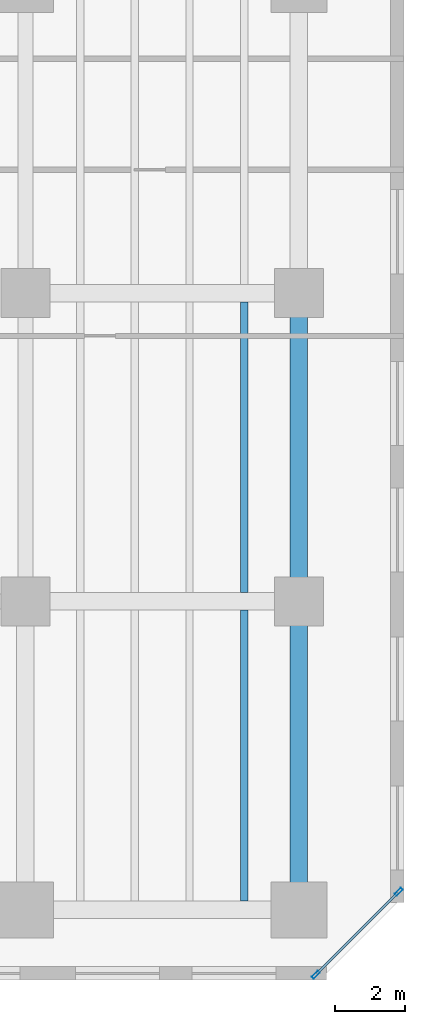
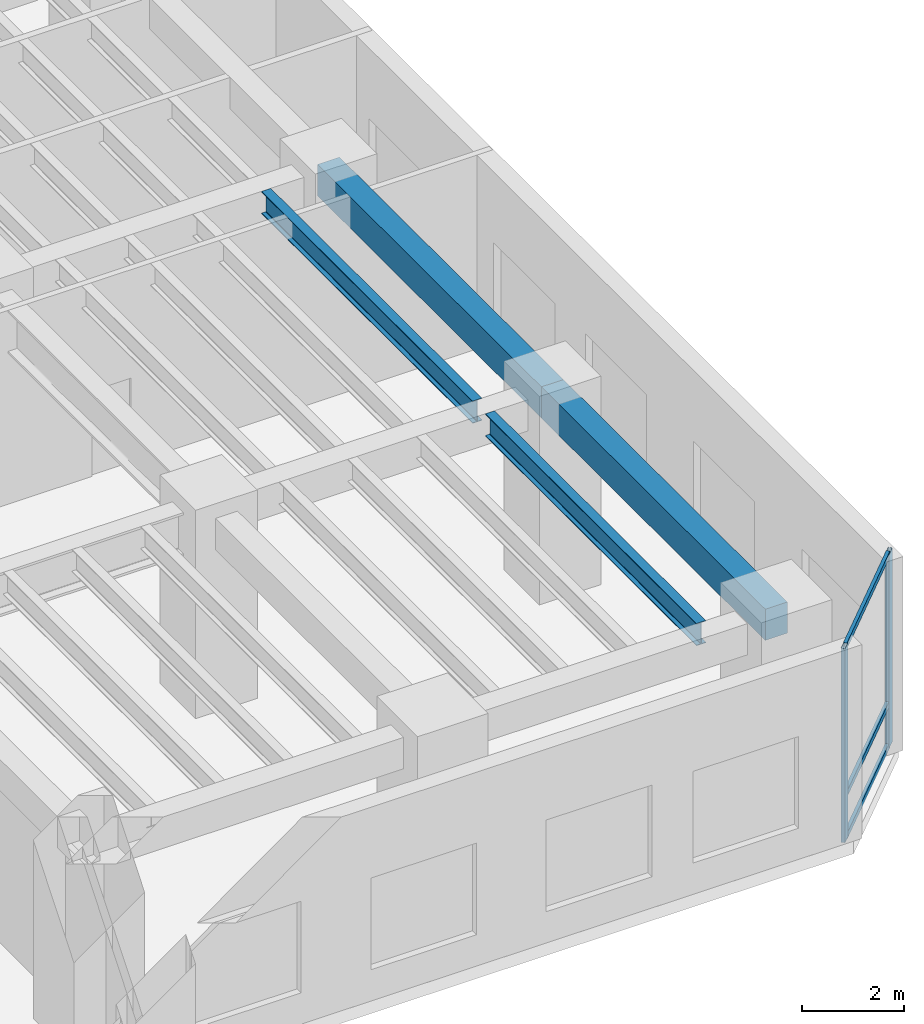
# One storey, part 6 of 19: 5 members, 4 beams, 1 element without a shape of its own.
"""IFC4 building model written with IfcOpenShell, lengths in metres."""

from ifc_helpers import new_model, si_unit, direction, frame, origin, origin_2d, place, context, subcontext, project, spatial, rectangle, hollow_rectangle, i_section, extrude, material, layer, layer_set, material_profile, profile_set, type_object, element, aggregate, save


model = new_model("IFC4")

# Units and contexts
model_context = context("Model", 3, precision=1e-05, world=origin(), true_north=direction((0.0, 1.0)))
body_context = subcontext(model_context, "Body", "Model", "MODEL_VIEW")
ifc_project = project(units=[si_unit("LENGTHUNIT", "METRE"), si_unit("AREAUNIT", "SQUARE_METRE"), si_unit("VOLUMEUNIT", "CUBIC_METRE"), si_unit("PLANEANGLEUNIT", "RADIAN"), si_unit("MASSUNIT", "GRAM", prefix="KILO")], contexts=[model_context])

# Site, building, storey
site_placement = place(None, origin())
site = spatial("IfcSite", under=ifc_project, at=site_placement, CompositionType="ELEMENT")
building_placement = place(site_placement, origin())
building = spatial("IfcBuilding", under=site, at=building_placement, Name="Kestravale Grand Hotel", CompositionType="ELEMENT")
storey_placement = place(building_placement, frame((0.0, 0.0, 5.39990234375)))
storey = spatial("IfcBuildingStorey", under=building, at=storey_placement, Name="L01", CompositionType="ELEMENT", Elevation=5.39990234375)

# Beams
ifc_material_1 = material(Name="Steel ASTM A992 Grade 50", Category="steel")
ifc_material_profile_1 = material_profile(ifc_material_1, i_section(OverallWidth=0.2099609375, OverallDepth=0.535888671875, WebThickness=0.010986328125, FlangeThickness=0.017333984375, FilletRadius=0.017578125, at=origin_2d()))
ifc_profile_set_1 = profile_set([ifc_material_profile_1], Name="Steel ASTM A992 Grade 50")
beam_type_1 = type_object("IfcBeamType", Name="B-FLR-JST21", PredefinedType="JOIST", material=ifc_profile_set_1)
for number, where, z_axis, x_axis, name in (
    (1, (76.43994140625, 2.64990234375, 4.382080078125), (0.0, 1.0, 0.0), (-1.0, 0.0, 0.0), "L01 floor joist 11-12/B-C #4"),
    (2, (76.43994140625, 11.449951171875, 4.382080078125), (0.0, 1.0, 0.0), (-1.0, 0.0, 0.0), "L01 floor joist 11-12/C-D #4"),
):
    element("IfcBeam", number, at=place(storey_placement, frame(where, z_axis=z_axis, x_axis=x_axis)), inside=storey, type_object=beam_type_1, Name=name, PredefinedType="JOIST", context=body_context, shape_type="SweptSolid", body=[
        extrude(i_section(OverallWidth=0.2099609375, OverallDepth=0.535888671875, WebThickness=0.010986328125, FlangeThickness=0.017333984375, FilletRadius=0.017578125, at=origin_2d()), origin(), (0.0, 0.0, 1.0), 8.300048828125),
    ])
ifc_material_2 = material(Name="Concrete f'c 45 MPa", Category="concrete")
ifc_material_profile_2 = material_profile(ifc_material_2, rectangle(XDim=0.5, YDim=0.75, at=origin_2d()))
ifc_profile_set_2 = profile_set([ifc_material_profile_2], Name="Concrete f'c 45 MPa")
beam_type_2 = type_object("IfcBeamType", Name="B-FLR-RC750", PredefinedType="SPANDREL", material=ifc_profile_set_2)
for number, where, z_axis, x_axis, name in (
    (3, (78.0, 2.39990234375, 4.275146484375), (0.0, 1.0, 0.0), (-1.0, 0.0, 0.0), "L01 spandrel 12:B-C"),
    (4, (78.0, 11.199951171875, 4.275146484375), (0.0, 1.0, 0.0), (-1.0, 0.0, 0.0), "L01 spandrel 12:C-D"),
):
    element("IfcBeam", number, at=place(storey_placement, frame(where, z_axis=z_axis, x_axis=x_axis)), inside=storey, type_object=beam_type_2, Name=name, PredefinedType="SPANDREL", context=body_context, shape_type="SweptSolid", body=[
        extrude(rectangle(XDim=0.5, YDim=0.75, at=origin_2d()), origin(), (0.0, 0.0, 1.0), 8.800048828125),
    ])

# Curtain wall, members
ifc_material_3 = material(Name="Thermally broken champagne-bronze aluminium and low-E glazing", Category="aluminium")
ifc_layer = layer(ifc_material_3, 0.239990234375)
ifc_layer_set = layer_set([ifc_layer], Name="CW-POD")
curtain_wall_type = type_object("IfcCurtainWallType", Name="CW-POD", PredefinedType="NOTDEFINED", material=ifc_layer_set)
curtain_wall_placement = place(storey_placement, origin())
curtain_wall = element("IfcCurtainWall", 5, at=curtain_wall_placement, inside=storey, type_object=curtain_wall_type, Name="L01 unitised curtain wall 2", PredefinedType="NOTDEFINED")
ifc_material_4 = material(Name="Aluminium 6063-T6 anodised", Category="aluminium")
ifc_material_profile_3 = material_profile(ifc_material_4, hollow_rectangle(XDim=0.0849609375, YDim=0.239990234375, WallThickness=0.00439453125, at=origin_2d()))
ifc_profile_set_3 = profile_set([ifc_material_profile_3], Name="Aluminium 6063-T6 anodised")
member_type_1 = type_object("IfcMemberType", Name="CW-MUL-240", PredefinedType="MULLION", material=ifc_profile_set_3)
member_1_placement = place(storey_placement, frame((78.4814453125, 0.55029296875, 0.0), z_axis=(0.0, 0.0, 1.0), x_axis=(-0.707106781187, 0.707106781187, 0.0)))
member_1 = element("IfcMember", 6, at=member_1_placement, type_object=member_type_1, Name="CW-POD mullion 1", PredefinedType="MULLION", context=body_context, shape_type="SweptSolid", body=[
    extrude(hollow_rectangle(XDim=0.0849609375, YDim=0.239990234375, WallThickness=0.00439453125, at=origin_2d()), origin(), (0.0, 0.0, 1.0), 4.650146484375),
])
member_2_placement = place(storey_placement, frame((80.849853515625, 2.91845703125, 0.0), z_axis=(0.0, 0.0, 1.0), x_axis=(-0.707106781187, 0.707106781187, 0.0)))
member_2 = element("IfcMember", 7, at=member_2_placement, type_object=member_type_1, Name="CW-POD mullion 2", PredefinedType="MULLION", context=body_context, shape_type="SweptSolid", body=[
    extrude(hollow_rectangle(XDim=0.0849609375, YDim=0.239990234375, WallThickness=0.00439453125, at=origin_2d()), origin(), (0.0, 0.0, 1.0), 4.650146484375),
])
ifc_material_5 = material(Name="Aluminium 6063-T6 anodised", Category="aluminium")
ifc_material_profile_4 = material_profile(ifc_material_5, hollow_rectangle(XDim=0.074951171875, YDim=0.139892578125, WallThickness=0.00341796875, at=origin_2d()))
ifc_profile_set_4 = profile_set([ifc_material_profile_4], Name="Aluminium 6063-T6 anodised")
member_type_2 = type_object("IfcMemberType", Name="CW-TRN-140", PredefinedType="USERDEFINED", material=ifc_profile_set_4)
member_3_placement = place(storey_placement, frame((78.51171875, 0.580322265625, 0.03759765625), z_axis=(0.707069380992, 0.707144179403, 0.0), x_axis=(-0.707144179403, 0.707069380992, 0.0)))
member_3 = element("IfcMember", 8, at=member_3_placement, type_object=member_type_2, Name="CW-POD transom 1.1", ObjectType="TRANSOM", PredefinedType="USERDEFINED", context=body_context, shape_type="SweptSolid", body=[
    extrude(hollow_rectangle(XDim=0.074951171875, YDim=0.139892578125, WallThickness=0.00341796875, at=origin_2d()), origin(), (0.0, 0.0, 1.0), 3.263916015625),
])
member_4_placement = place(storey_placement, frame((78.51171875, 0.580322265625, 1.050048828125), z_axis=(0.707069380992, 0.707144179403, 0.0), x_axis=(-0.707144179403, 0.707069380992, 0.0)))
member_4 = element("IfcMember", 9, at=member_4_placement, type_object=member_type_2, Name="CW-POD transom 1.2", ObjectType="TRANSOM", PredefinedType="USERDEFINED", context=body_context, shape_type="SweptSolid", body=[
    extrude(hollow_rectangle(XDim=0.074951171875, YDim=0.139892578125, WallThickness=0.00341796875, at=origin_2d()), origin(), (0.0, 0.0, 1.0), 3.263916015625),
])
member_5_placement = place(storey_placement, frame((78.51171875, 0.580322265625, 4.612548828125), z_axis=(0.707069380992, 0.707144179403, 0.0), x_axis=(-0.707144179403, 0.707069380992, 0.0)))
member_5 = element("IfcMember", 10, at=member_5_placement, type_object=member_type_2, Name="CW-POD transom 1.3", ObjectType="TRANSOM", PredefinedType="USERDEFINED", context=body_context, shape_type="SweptSolid", body=[
    extrude(hollow_rectangle(XDim=0.074951171875, YDim=0.139892578125, WallThickness=0.00341796875, at=origin_2d()), origin(), (0.0, 0.0, 1.0), 3.263916015625),
])
aggregate(curtain_wall, [member_1, member_2, member_3, member_4, member_5])

save(model, "model.ifc")
